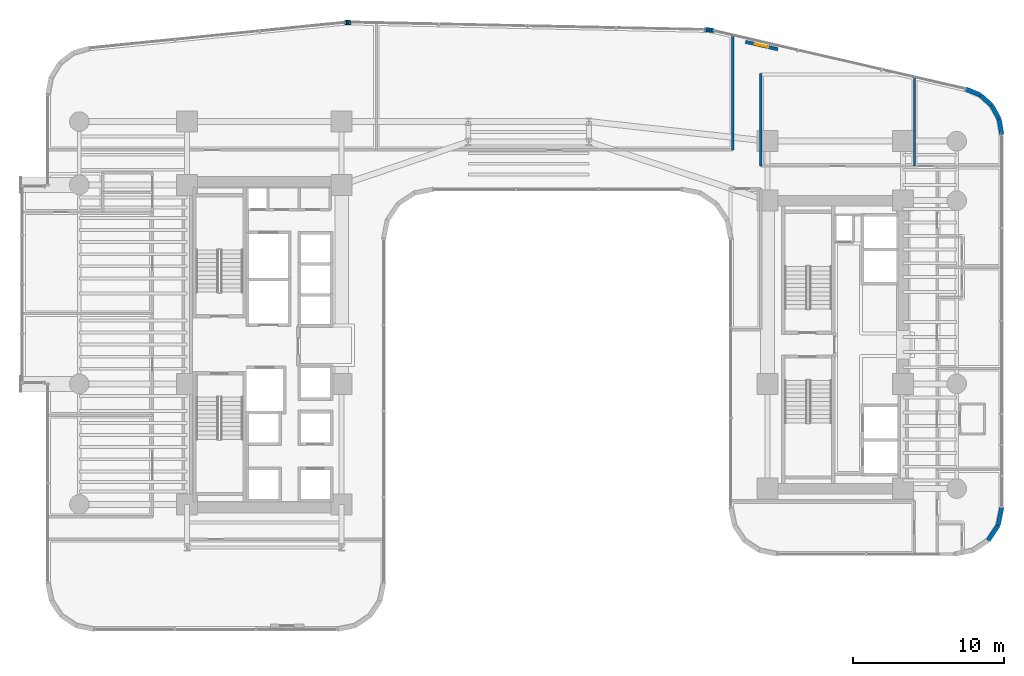
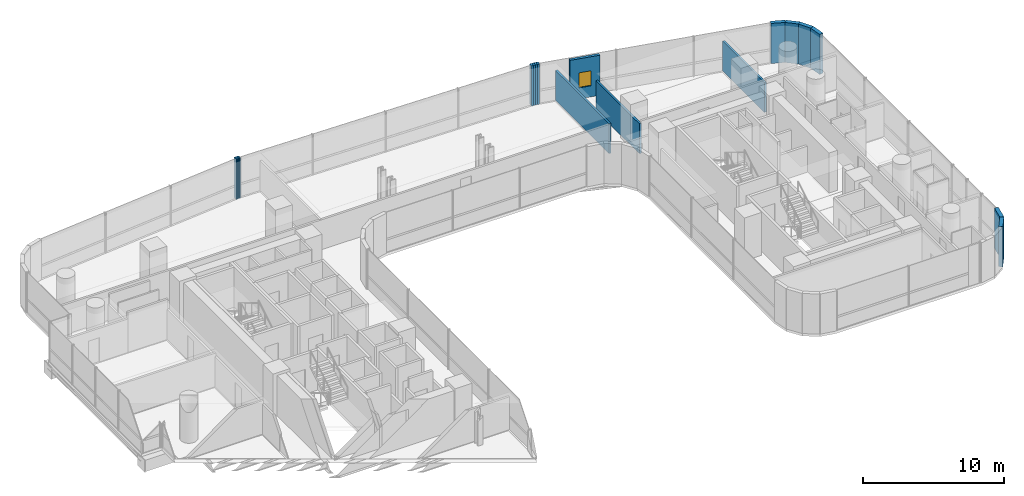
# One storey, part 33 of 39: 18 walls, 1 window, 1 opening.
"""IFC4 building model written with IfcOpenShell, lengths in metres."""

from ifc_helpers import new_model, si_unit, direction, frame, frame_2d, origin, place, context, subcontext, project, spatial, rectangle, extrude, material, layer, layer_set, type_object, element, fill, save


model = new_model("IFC4")

# Units and contexts
model_context = context("Model", 3, precision=1e-05, world=origin(), true_north=direction((0.0, 1.0)))
body_context = subcontext(model_context, "Body", "Model", "MODEL_VIEW")
ifc_project = project(units=[si_unit("LENGTHUNIT", "METRE"), si_unit("AREAUNIT", "SQUARE_METRE"), si_unit("VOLUMEUNIT", "CUBIC_METRE"), si_unit("PLANEANGLEUNIT", "RADIAN"), si_unit("MASSUNIT", "GRAM", prefix="KILO")], contexts=[model_context])

# Site, building, storey
site_placement = place(None, origin())
site = spatial("IfcSite", under=ifc_project, at=site_placement, CompositionType="ELEMENT")
building_placement = place(site_placement, origin())
building = spatial("IfcBuilding", under=site, at=building_placement, Name="Valdorenza Pilgrim Sanctuary Tower", CompositionType="ELEMENT")
storey_placement = place(building_placement, frame((0.0, 0.0, 70.39990234375)))
storey = spatial("IfcBuildingStorey", under=building, at=storey_placement, Name="L17", CompositionType="ELEMENT", Elevation=70.39990234375)

# Walls
ifc_material_1 = material(Name="Acoustic twin-stud gypsum partition", Category="gypsum")
ifc_layer_1 = layer(ifc_material_1, 0.159912109375, Name="Acoustic twin-stud gypsum partition")
ifc_layer_set_1 = layer_set([ifc_layer_1], Name="Acoustic twin-stud gypsum partition")
wall_type_1 = type_object("IfcWallType", Name="WAL-COR-160", PredefinedType="PARTITIONING", material=ifc_layer_set_1)
wall_1_placement = place(storey_placement, frame((13.550048828125, 12.919921875, 0.0), z_axis=(0.0, 0.0, 1.0), x_axis=(0.0, 1.0, 0.0)))
element("IfcWall", 1, at=wall_1_placement, inside=storey, type_object=wall_type_1, Name="L17 North Band East Closure", PredefinedType="PARTITIONING", context=body_context, shape_type="SweptSolid", body=[
    extrude(rectangle(XDim=7.609375, YDim=0.159912109375, at=frame_2d((3.8046875, 0.0))), origin(), (0.0, 0.0, 1.0), 2.5830078125),
])
wall_2_placement = place(storey_placement, frame((15.39990234375, 11.85009765625, 0.0), z_axis=(0.0, 0.0, 1.0), x_axis=(0.0, 1.0, 0.0)))
element("IfcWall", 2, at=wall_2_placement, inside=storey, type_object=wall_type_1, Name="L17 Wing B North West Wall", PredefinedType="PARTITIONING", context=body_context, shape_type="SweptSolid", body=[
    extrude(rectangle(XDim=6.14990234375, YDim=0.159912109375, at=frame_2d((3.074951171875, 0.0))), origin(), (0.0, 0.0, 1.0), 2.5830078125),
])
wall_3_placement = place(storey_placement, frame((25.60009765625, 11.85009765625, 0.0), z_axis=(0.0, 0.0, 1.0), x_axis=(0.0, 1.0, 0.0)))
element("IfcWall", 3, at=wall_3_placement, inside=storey, type_object=wall_type_1, Name="L17 Wing B North East Wall", PredefinedType="PARTITIONING", context=body_context, shape_type="SweptSolid", body=[
    extrude(rectangle(XDim=5.8984375, YDim=0.159912109375, at=frame_2d((2.94921875, 0.0))), origin(), (0.0, 0.0, 1.0), 2.5830078125),
])
ifc_material_2 = material(Name="Honed travertine limestone", Category="masonry")
ifc_layer_2 = layer(ifc_material_2, 0.300048828125, Name="Honed travertine limestone")
ifc_layer_set_2 = layer_set([ifc_layer_2], Name="Honed travertine limestone")
wall_type_2 = type_object("IfcWallType", Name="WAL-EXT-300", PredefinedType="SOLIDWALL", material=ifc_layer_set_2)
wall_4_placement = place(storey_placement, frame((-12.181884765625, 21.371337890625, 0.0), z_axis=(0.0, 0.0, 1.0), x_axis=(0.996527790842, 0.08326080759, 0.0)))
element("IfcWall", 4, at=wall_4_placement, inside=storey, type_object=wall_type_2, Name="L17 Rounded Wind-Corner Stone Pier 7", PredefinedType="SOLIDWALL", context=body_context, shape_type="SweptSolid", body=[
    extrude(rectangle(XDim=0.09375, YDim=0.300048828125, at=frame_2d((0.046875, 0.0))), origin(), (0.0, 0.0, 1.0), 3.460205078125),
])
wall_5_placement = place(storey_placement, frame((-12.08837890625, 21.379150390625, 0.0), z_axis=(0.0, 0.0, 1.0), x_axis=(0.998476480444, 0.055178963393, 0.0)))
element("IfcWall", 5, at=wall_5_placement, inside=storey, type_object=wall_type_2, Name="L17 Rounded Wind-Corner Stone Pier 8", PredefinedType="SOLIDWALL", context=body_context, shape_type="SweptSolid", body=[
    extrude(rectangle(XDim=0.093017578125, YDim=0.300048828125, at=frame_2d((0.04638671875, 0.0))), origin(), (0.0, 0.0, 1.0), 3.460205078125),
])
wall_6_placement = place(storey_placement, frame((-11.99560546875, 21.38427734375, 0.0), z_axis=(0.0, 0.0, 1.0), x_axis=(0.999722573757, 0.023553673204, 0.0)))
element("IfcWall", 6, at=wall_6_placement, inside=storey, type_object=wall_type_2, Name="L17 Rounded Wind-Corner Stone Pier 9", PredefinedType="SOLIDWALL", context=body_context, shape_type="SweptSolid", body=[
    extrude(rectangle(XDim=0.09326171875, YDim=0.300048828125, at=frame_2d((0.046630859375, 0.0))), origin(), (0.0, 0.0, 1.0), 3.460205078125),
])
wall_7_placement = place(storey_placement, frame((-11.90234375, 21.386474609375, 0.0), z_axis=(0.0, 0.0, 1.0), x_axis=(0.999986507273, -0.005194735103, 0.0)))
element("IfcWall", 7, at=wall_7_placement, inside=storey, type_object=wall_type_2, Name="L17 Rounded Wind-Corner Stone Pier 10", PredefinedType="SOLIDWALL", context=body_context, shape_type="SweptSolid", body=[
    extrude(rectangle(XDim=0.093994140625, YDim=0.300048828125, at=frame_2d((0.046875, 0.0))), origin(), (0.0, 0.0, 1.0), 3.460205078125),
])
wall_8_placement = place(storey_placement, frame((11.665771484375, 20.89697265625, 0.0), z_axis=(0.0, 0.0, 1.0), x_axis=(0.998885297239, -0.047203421059, 0.0)))
element("IfcWall", 8, at=wall_8_placement, inside=storey, type_object=wall_type_2, Name="L17 Rounded Wind-Corner Stone Pier 12", PredefinedType="SOLIDWALL", context=body_context, shape_type="SweptSolid", body=[
    extrude(rectangle(XDim=0.160400390625, YDim=0.300048828125, at=frame_2d((0.080078125, 0.0))), origin(), (0.0, 0.0, 1.0), 3.460205078125),
])
wall_9_placement = place(storey_placement, frame((11.825927734375, 20.889404296875, 0.0), z_axis=(0.0, 0.0, 1.0), x_axis=(0.995172891136, -0.098137234257, 0.0)))
element("IfcWall", 9, at=wall_9_placement, inside=storey, type_object=wall_type_2, Name="L17 Rounded Wind-Corner Stone Pier 13", PredefinedType="SOLIDWALL", context=body_context, shape_type="SweptSolid", body=[
    extrude(rectangle(XDim=0.1591796875, YDim=0.300048828125, at=frame_2d((0.07958984375, 0.0))), origin(), (0.0, 0.0, 1.0), 3.460205078125),
])
wall_10_placement = place(storey_placement, frame((11.984375, 20.873779296875, 0.0), z_axis=(0.0, 0.0, 1.0), x_axis=(0.988846069207, -0.148941100486, 0.0)))
element("IfcWall", 10, at=wall_10_placement, inside=storey, type_object=wall_type_2, Name="L17 Rounded Wind-Corner Stone Pier 14", PredefinedType="SOLIDWALL", context=body_context, shape_type="SweptSolid", body=[
    extrude(rectangle(XDim=0.158935546875, YDim=0.300048828125, at=frame_2d((0.07958984375, 0.0))), origin(), (0.0, 0.0, 1.0), 3.460205078125),
])
wall_11_placement = place(storey_placement, frame((12.1416015625, 20.85009765625, 0.0), z_axis=(0.0, 0.0, 1.0), x_axis=(0.979991950448, -0.19903712482, 0.0)))
element("IfcWall", 11, at=wall_11_placement, inside=storey, type_object=wall_type_2, Name="L17 Rounded Wind-Corner Stone Pier 15", PredefinedType="SOLIDWALL", context=body_context, shape_type="SweptSolid", body=[
    extrude(rectangle(XDim=0.16064453125, YDim=0.300048828125, at=frame_2d((0.080322265625, 0.0))), origin(), (0.0, 0.0, 1.0), 3.460205078125),
])

# Wall, opening, window
wall_12_placement = place(storey_placement, frame((14.388671875, 20.089599609375, 0.0), z_axis=(0.0, 0.0, 1.0), x_axis=(0.974400545997, -0.224818984875, 0.0)))
wall_12 = element("IfcWall", 12, at=wall_12_placement, inside=storey, type_object=wall_type_2, Name="L17 Operable Ventilation Sash Jamb Pier", PredefinedType="SOLIDWALL", context=body_context, shape_type="SweptSolid", body=[
    extrude(rectangle(XDim=2.2001953125, YDim=0.219970703125, at=frame_2d((1.10009765625, 0.0))), origin(), (0.0, 0.0, 1.0), 3.460205078125),
])
opening_placement = place(wall_12_placement, frame((0.64990234375, 0.0, 0.949951171875)))
opening = element("IfcOpeningElement", 13, at=opening_placement, cuts=wall_12, Name="Opening WN-OP1", PredefinedType="OPENING", context=body_context, shape_type="SweptSolid", body=[
    extrude(rectangle(XDim=0.89990234375, YDim=1.300048828125, at=frame_2d((0.449951171875, 0.64990234375))), frame((0.0, 0.125, 0.0), z_axis=(0.0, -1.0, 0.0), x_axis=(1.0, 0.0, 0.0)), (0.0, 0.0, 1.0), 0.249755859375),
])
ifc_material_3 = material(Name="Ceramic-fritted low-E IGU glazing", Category="glass")
window_type = type_object("IfcWindowType", Name="WIN-OPN-900", PartitioningType="SINGLE_PANEL", PredefinedType="WINDOW", material=ifc_material_3)
window_placement = place(opening_placement, origin())
window = element("IfcWindow", 14, at=window_placement, inside=storey, type_object=window_type, Name="L17 Parallel-Pop-Out Operable Facade Panel", OverallHeight=1.300048828125, OverallWidth=0.89990234375, PartitioningType="SINGLE_PANEL", PredefinedType="WINDOW", context=body_context, shape_type="SweptSolid", body=[
    extrude(rectangle(XDim=0.89990234375, YDim=1.300048828125, at=frame_2d((0.449951171875, 0.64990234375))), frame((0.0, 0.030029296875, 0.0), z_axis=(0.0, -1.0, 0.0), x_axis=(1.0, 0.0, 0.0)), (0.0, 0.0, 1.0), 0.06005859375),
])
fill(opening, window)

# Walls
wall_13_placement = place(storey_placement, frame((28.98583984375, 16.96728515625, 0.0), z_axis=(0.0, 0.0, 1.0), x_axis=(0.923083852684, -0.384598753136, 0.0)))
element("IfcWall", 15, at=wall_13_placement, inside=storey, type_object=wall_type_2, Name="L17 Rounded Wind-Corner Stone Pier 17", PredefinedType="SOLIDWALL", context=body_context, shape_type="SweptSolid", body=[
    extrude(rectangle(XDim=1.042236328125, YDim=0.300048828125, at=frame_2d((0.52099609375, 0.0))), origin(), (0.0, 0.0, 1.0), 3.460205078125),
])
wall_14_placement = place(storey_placement, frame((29.947998046875, 16.56640625, 0.0), z_axis=(0.0, 0.0, 1.0), x_axis=(0.744585645533, -0.66752694063, 0.0)))
element("IfcWall", 16, at=wall_14_placement, inside=storey, type_object=wall_type_2, Name="L17 Rounded Wind-Corner Stone Pier 18", PredefinedType="SOLIDWALL", context=body_context, shape_type="SweptSolid", body=[
    extrude(rectangle(XDim=1.032958984375, YDim=0.300048828125, at=frame_2d((0.5166015625, 0.0))), origin(), (0.0, 0.0, 1.0), 3.460205078125),
])
wall_15_placement = place(storey_placement, frame((30.717041015625, 15.876953125, 0.0), z_axis=(0.0, 0.0, 1.0), x_axis=(0.482971098131, -0.875636293429, 0.0)))
element("IfcWall", 17, at=wall_15_placement, inside=storey, type_object=wall_type_2, Name="L17 Rounded Wind-Corner Stone Pier 19", PredefinedType="SOLIDWALL", context=body_context, shape_type="SweptSolid", body=[
    extrude(rectangle(XDim=1.03271484375, YDim=0.300048828125, at=frame_2d((0.516357421875, 0.0))), origin(), (0.0, 0.0, 1.0), 3.460205078125),
])
wall_16_placement = place(storey_placement, frame((31.2158203125, 14.97265625, 0.0), z_axis=(0.0, 0.0, 1.0), x_axis=(0.167019462117, -0.985953598946, 0.0)))
element("IfcWall", 18, at=wall_16_placement, inside=storey, type_object=wall_type_2, Name="L17 Rounded Wind-Corner Stone Pier 20", PredefinedType="SOLIDWALL", context=body_context, shape_type="SweptSolid", body=[
    extrude(rectangle(XDim=1.042236328125, YDim=0.300048828125, at=frame_2d((0.52099609375, 0.0))), origin(), (0.0, 0.0, 1.0), 3.460205078125),
])
wall_17_placement = place(storey_placement, frame((31.389892578125, -10.789306640625, 0.0), z_axis=(0.0, 0.0, 1.0), x_axis=(-0.194996050505, -0.980804027463, 0.0)))
element("IfcWall", 19, at=wall_17_placement, inside=storey, type_object=wall_type_2, Name="L17 Rounded Wind-Corner Stone Pier 22", PredefinedType="SOLIDWALL", context=body_context, shape_type="SweptSolid", body=[
    extrude(rectangle(XDim=1.2158203125, YDim=0.300048828125, at=frame_2d((0.60791015625, 0.0))), origin(), (0.0, 0.0, 1.0), 3.460205078125),
])
wall_18_placement = place(storey_placement, frame((31.15283203125, -11.981689453125, 0.0), z_axis=(0.0, 0.0, 1.0), x_axis=(-0.555635100982, -0.831426265255, 0.0)))
element("IfcWall", 20, at=wall_18_placement, inside=storey, type_object=wall_type_2, Name="L17 Rounded Wind-Corner Stone Pier 23", PredefinedType="SOLIDWALL", context=body_context, shape_type="SweptSolid", body=[
    extrude(rectangle(XDim=1.204833984375, YDim=0.300048828125, at=frame_2d((0.6025390625, 0.0))), origin(), (0.0, 0.0, 1.0), 3.460205078125),
])

save(model, "model.ifc")
